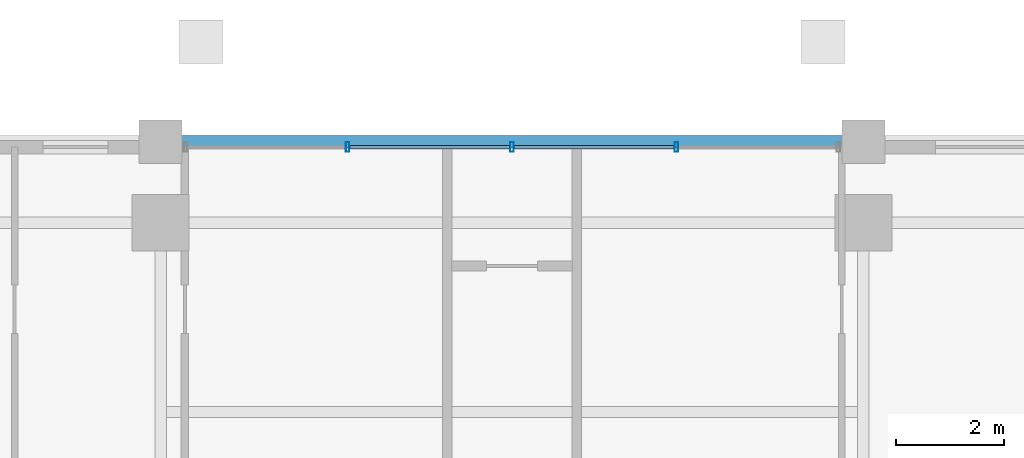
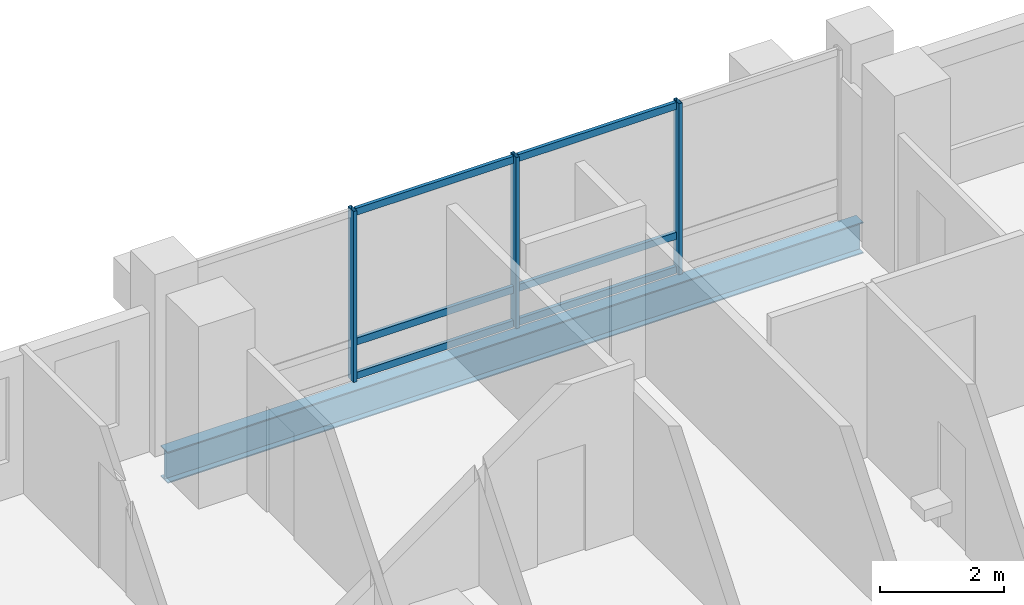
# One storey, part 15 of 24: 9 members, 1 beam, 1 element without a shape of its own.
"""IFC4 building model written with IfcOpenShell, lengths in metres."""

from ifc_helpers import new_model, si_unit, direction, frame, origin, origin_2d, place, context, subcontext, project, spatial, hollow_rectangle, i_section, extrude, material, layer, layer_set, material_profile, profile_set, type_object, element, aggregate, save


model = new_model("IFC4")

# Units and contexts
model_context = context("Model", 3, precision=1e-05, world=origin(), true_north=direction((0.0, 1.0)))
body_context = subcontext(model_context, "Body", "Model", "MODEL_VIEW")
ifc_project = project(units=[si_unit("LENGTHUNIT", "METRE"), si_unit("AREAUNIT", "SQUARE_METRE"), si_unit("VOLUMEUNIT", "CUBIC_METRE"), si_unit("PLANEANGLEUNIT", "RADIAN"), si_unit("MASSUNIT", "GRAM", prefix="KILO")], contexts=[model_context])

# Site, building, storey
site_placement = place(None, origin())
site = spatial("IfcSite", under=ifc_project, at=site_placement, CompositionType="ELEMENT")
building_placement = place(site_placement, origin())
building = spatial("IfcBuilding", under=site, at=building_placement, Name="Barlavira Tower and Art Museum", CompositionType="ELEMENT")
storey_placement = place(building_placement, frame((0.0, 0.0, 201.60009765625)))
storey = spatial("IfcBuildingStorey", under=building, at=storey_placement, Name="L52", CompositionType="ELEMENT", Elevation=201.60009765625)

# Curtain wall, members
ifc_material_1 = material(Name="Low-iron coastal laminated glass", Category="glass")
ifc_layer = layer(ifc_material_1, 0.199951171875, Name="Low-iron coastal laminated glass")
ifc_layer_set = layer_set([ifc_layer], Name="Low-iron coastal laminated glass")
curtain_wall_type = type_object("IfcCurtainWallType", Name="Pale-Metal Unitised Curtain Wall Zone 3", PredefinedType="NOTDEFINED", material=ifc_layer_set)
curtain_wall_placement = place(storey_placement, origin())
curtain_wall = element("IfcCurtainWall", 1, at=curtain_wall_placement, inside=storey, type_object=curtain_wall_type, Name="L52 Curtain Wall CW3-L52-N-B3", PredefinedType="NOTDEFINED")
ifc_material_2 = material(Name="Pale anodised aluminium", Category="aluminium")
ifc_material_profile_1 = material_profile(ifc_material_2, hollow_rectangle(XDim=0.06494140625, YDim=0.179931640625, WallThickness=0.00390625, at=origin_2d()), Name="ALU-MULL 65x180x4")
ifc_profile_set_1 = profile_set([ifc_material_profile_1], Name="Pale anodised aluminium")
member_type_1 = type_object("IfcMemberType", Name="Curtain Wall Pale-Metal Mullion 65x180", PredefinedType="MULLION", material=ifc_profile_set_1)
member_1_placement = place(storey_placement, frame((3.0400390625, 21.39990234375, 0.0), z_axis=(0.0, 0.0, 1.0), x_axis=(-1.0, 0.0, 0.0)))
member_1 = element("IfcMember", 2, at=member_1_placement, type_object=member_type_1, Name="CW3-L52-N-B3 Mullion 1", PredefinedType="MULLION", context=body_context, shape_type="SweptSolid", body=[
    extrude(hollow_rectangle(XDim=0.06494140625, YDim=0.179931640625, WallThickness=0.00390625, at=origin_2d()), origin(), (0.0, 0.0, 1.0), 3.3798828125),
])
member_2_placement = place(storey_placement, frame((0.0, 21.39990234375, 0.0), z_axis=(0.0, 0.0, 1.0), x_axis=(-1.0, 0.0, 0.0)))
member_2 = element("IfcMember", 3, at=member_2_placement, type_object=member_type_1, Name="CW3-L52-N-B3 Mullion 2", PredefinedType="MULLION", context=body_context, shape_type="SweptSolid", body=[
    extrude(hollow_rectangle(XDim=0.06494140625, YDim=0.179931640625, WallThickness=0.00390625, at=origin_2d()), origin(), (0.0, 0.0, 1.0), 3.3798828125),
])
member_3_placement = place(storey_placement, frame((-3.0400390625, 21.39990234375, 0.0), z_axis=(0.0, 0.0, 1.0), x_axis=(-1.0, 0.0, 0.0)))
member_3 = element("IfcMember", 4, at=member_3_placement, type_object=member_type_1, Name="CW3-L52-N-B3 Mullion 3", PredefinedType="MULLION", context=body_context, shape_type="SweptSolid", body=[
    extrude(hollow_rectangle(XDim=0.06494140625, YDim=0.179931640625, WallThickness=0.00390625, at=origin_2d()), origin(), (0.0, 0.0, 1.0), 3.3798828125),
])
ifc_material_profile_2 = material_profile(ifc_material_2, hollow_rectangle(XDim=0.06494140625, YDim=0.139892578125, WallThickness=0.00390625, at=origin_2d()), Name="ALU-TRAN 65x140x4")
ifc_profile_set_2 = profile_set([ifc_material_profile_2], Name="Pale anodised aluminium")
member_type_2 = type_object("IfcMemberType", Name="Curtain Wall Pale-Metal Transom 65x140", PredefinedType="USERDEFINED", material=ifc_profile_set_2)
member_4_placement = place(storey_placement, frame((2.9951171875, 21.39990234375, 0.06982421875), z_axis=(-1.0, 0.0, 0.0), x_axis=(0.0, -1.0, 0.0)))
member_4 = element("IfcMember", 5, at=member_4_placement, type_object=member_type_2, Name="CW3-L52-N-B3 Transom 1.1", ObjectType="TRANSOM", PredefinedType="USERDEFINED", context=body_context, shape_type="SweptSolid", body=[
    extrude(hollow_rectangle(XDim=0.06494140625, YDim=0.139892578125, WallThickness=0.00390625, at=origin_2d()), origin(), (0.0, 0.0, 1.0), 2.9501953125),
])
member_5_placement = place(storey_placement, frame((2.9951171875, 21.39990234375, 0.743896484375), z_axis=(-1.0, 0.0, 0.0), x_axis=(0.0, -1.0, 0.0)))
member_5 = element("IfcMember", 6, at=member_5_placement, type_object=member_type_2, Name="CW3-L52-N-B3 Transom 1.2", ObjectType="TRANSOM", PredefinedType="USERDEFINED", context=body_context, shape_type="SweptSolid", body=[
    extrude(hollow_rectangle(XDim=0.06494140625, YDim=0.139892578125, WallThickness=0.00390625, at=origin_2d()), origin(), (0.0, 0.0, 1.0), 2.9501953125),
])
member_6_placement = place(storey_placement, frame((2.9951171875, 21.39990234375, 3.309814453125), z_axis=(-1.0, 0.0, 0.0), x_axis=(0.0, -1.0, 0.0)))
member_6 = element("IfcMember", 7, at=member_6_placement, type_object=member_type_2, Name="CW3-L52-N-B3 Transom 1.3", ObjectType="TRANSOM", PredefinedType="USERDEFINED", context=body_context, shape_type="SweptSolid", body=[
    extrude(hollow_rectangle(XDim=0.06494140625, YDim=0.139892578125, WallThickness=0.00390625, at=origin_2d()), origin(), (0.0, 0.0, 1.0), 2.9501953125),
])
member_7_placement = place(storey_placement, frame((-0.044921875, 21.39990234375, 0.06982421875), z_axis=(-1.0, 0.0, 0.0), x_axis=(0.0, -1.0, 0.0)))
member_7 = element("IfcMember", 8, at=member_7_placement, type_object=member_type_2, Name="CW3-L52-N-B3 Transom 2.1", ObjectType="TRANSOM", PredefinedType="USERDEFINED", context=body_context, shape_type="SweptSolid", body=[
    extrude(hollow_rectangle(XDim=0.06494140625, YDim=0.139892578125, WallThickness=0.00390625, at=origin_2d()), origin(), (0.0, 0.0, 1.0), 2.9501953125),
])
member_8_placement = place(storey_placement, frame((-0.044921875, 21.39990234375, 0.743896484375), z_axis=(-1.0, 0.0, 0.0), x_axis=(0.0, -1.0, 0.0)))
member_8 = element("IfcMember", 9, at=member_8_placement, type_object=member_type_2, Name="CW3-L52-N-B3 Transom 2.2", ObjectType="TRANSOM", PredefinedType="USERDEFINED", context=body_context, shape_type="SweptSolid", body=[
    extrude(hollow_rectangle(XDim=0.06494140625, YDim=0.139892578125, WallThickness=0.00390625, at=origin_2d()), origin(), (0.0, 0.0, 1.0), 2.9501953125),
])
member_9_placement = place(storey_placement, frame((-0.044921875, 21.39990234375, 3.309814453125), z_axis=(-1.0, 0.0, 0.0), x_axis=(0.0, -1.0, 0.0)))
member_9 = element("IfcMember", 10, at=member_9_placement, type_object=member_type_2, Name="CW3-L52-N-B3 Transom 2.3", ObjectType="TRANSOM", PredefinedType="USERDEFINED", context=body_context, shape_type="SweptSolid", body=[
    extrude(hollow_rectangle(XDim=0.06494140625, YDim=0.139892578125, WallThickness=0.00390625, at=origin_2d()), origin(), (0.0, 0.0, 1.0), 2.9501953125),
])
aggregate(curtain_wall, [member_1, member_2, member_3, member_4, member_5, member_6, member_7, member_8, member_9])

# Beam
ifc_material_3 = material(Name="Steel S355", Category="steel")
ifc_material_profile_3 = material_profile(ifc_material_3, i_section(OverallWidth=0.22998046875, OverallDepth=0.616943359375, WebThickness=0.01318359375, FlangeThickness=0.022216796875, at=origin_2d()), Name="W610x140.0")
ifc_profile_set_3 = profile_set([ifc_material_profile_3], Name="Steel S355")
beam_type = type_object("IfcBeamType", Name="Upper Shaft Spandrel Edge Beam W610x140 Steel S355", PredefinedType="SPANDREL", material=ifc_profile_set_3)
beam_placement = place(storey_placement, frame((-6.5, 21.5, -0.528564453125), z_axis=(1.0, 0.0, 0.0), x_axis=(0.0, 1.0, 0.0)))
element("IfcBeam", 11, at=beam_placement, inside=storey, type_object=beam_type, Name="L52 Spandrel 10", PredefinedType="SPANDREL", context=body_context, shape_type="SweptSolid", body=[
    extrude(i_section(OverallWidth=0.22998046875, OverallDepth=0.616943359375, WebThickness=0.01318359375, FlangeThickness=0.022216796875, at=origin_2d()), origin(), (0.0, 0.0, 1.0), 13.0),
])

save(model, "model.ifc")
